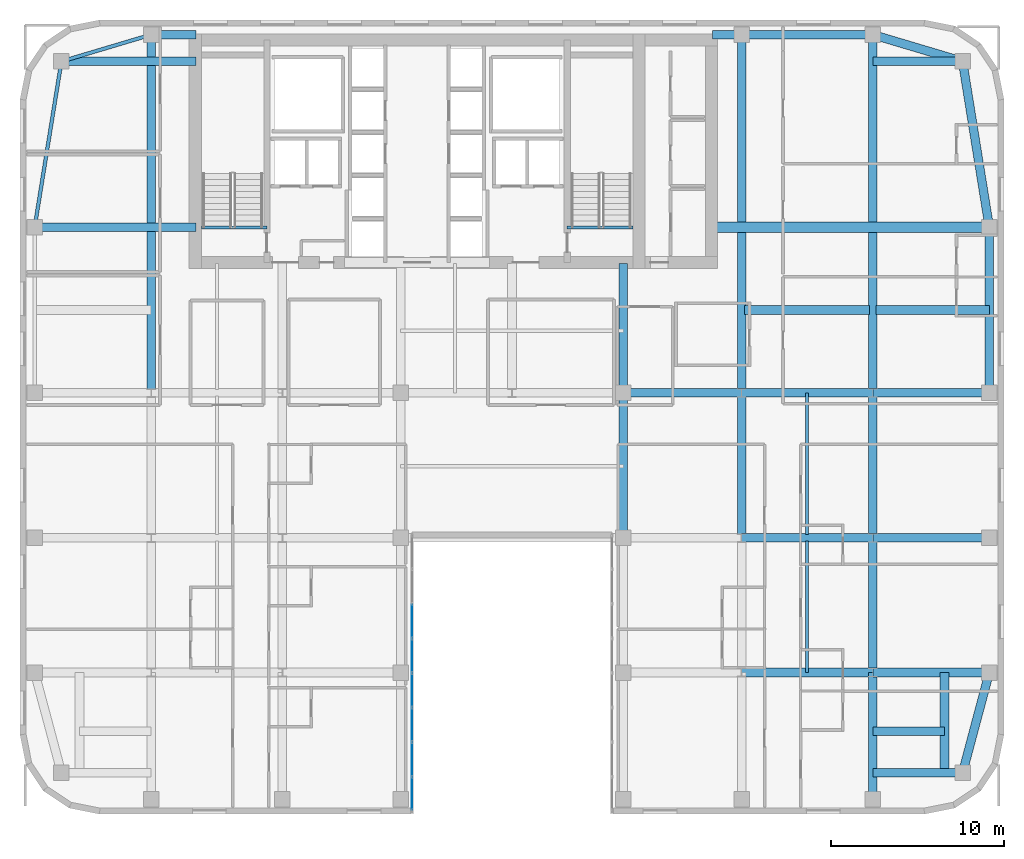
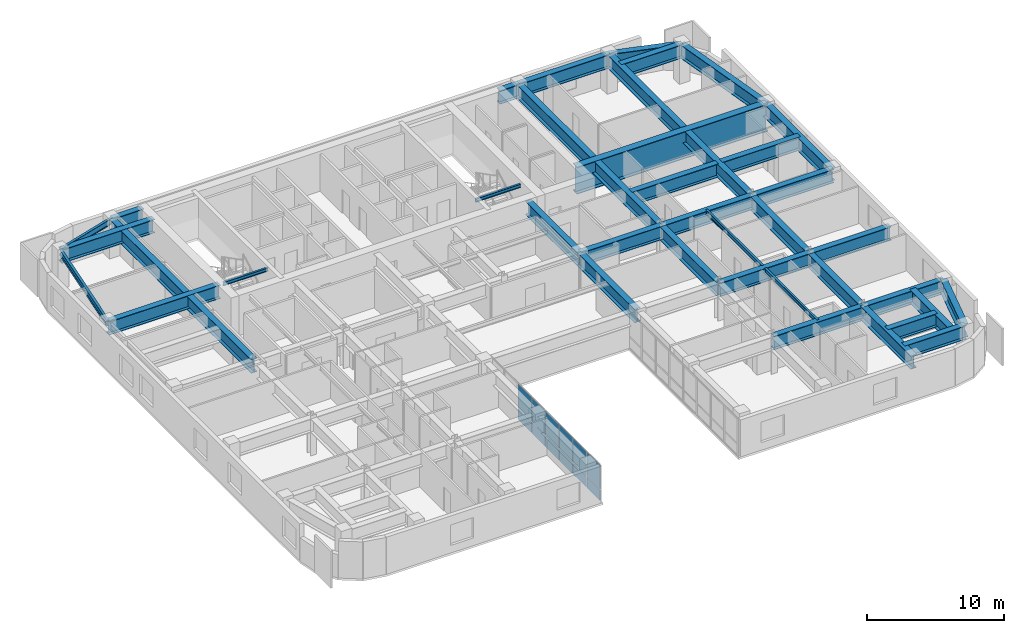
# One storey, part 7 of 15: 38 beams, 12 plates, 1 element without a shape of its own.
"""IFC4 building model written with IfcOpenShell, lengths in metres."""

from ifc_helpers import new_model, si_unit, direction, frame, origin, origin_2d, place, context, subcontext, project, spatial, rectangle, i_section, extrude, source, transform, mapped, material, layer, layer_set, material_profile, profile_set, type_object, type_shapes, element, aggregate, save


model = new_model("IFC4")

# Units and contexts
model_context = context("Model", 3, precision=1e-05, world=origin(), true_north=direction((0.0, 1.0)))
body_context = subcontext(model_context, "Body", "Model", "MODEL_VIEW")
ifc_project = project(units=[si_unit("LENGTHUNIT", "METRE"), si_unit("AREAUNIT", "SQUARE_METRE"), si_unit("VOLUMEUNIT", "CUBIC_METRE"), si_unit("PLANEANGLEUNIT", "RADIAN"), si_unit("MASSUNIT", "GRAM", prefix="KILO")], contexts=[model_context])

# Site, building, storey
site_placement = place(None, origin())
site = spatial("IfcSite", under=ifc_project, at=site_placement, CompositionType="ELEMENT")
building_placement = place(site_placement, origin())
building = spatial("IfcBuilding", under=site, at=building_placement, Name="Tolvann Quenvar Hotel", CompositionType="ELEMENT")
storey_placement = place(building_placement, frame((0.0, 0.0, 143.5)))
storey = spatial("IfcBuildingStorey", under=building, at=storey_placement, Name="L37", CompositionType="ELEMENT", Elevation=143.5)

# Beams
ifc_material_1 = material(Name="Steel Grade 350", Category="steel")
ifc_material_profile_1 = material_profile(ifc_material_1, i_section(OverallWidth=0.5, OverallDepth=1.199951171875, WebThickness=0.01611328125, FlangeThickness=0.0400390625, at=origin_2d()), Name="1200WB455")
ifc_profile_set_1 = profile_set([ifc_material_profile_1], Name="Steel Grade 350")
beam_type_1 = type_object("IfcBeamType", Name="BM_TG_1200WB455", PredefinedType="USERDEFINED", material=ifc_profile_set_1)
shared_shape_1 = source(origin(), body_context, "Body", "SweptSolid", [
    extrude(i_section(OverallWidth=0.5, OverallDepth=1.199951171875, WebThickness=0.01611328125, FlangeThickness=0.0400390625, at=origin_2d()), origin(), (0.0, 0.0, 1.0), 7.349853515625),
])
beam_1_placement = place(storey_placement, frame((49.39990234375, 0.85009765625, 2.68994140625), z_axis=(0.0, 1.0, 0.0), x_axis=(-1.0, 0.0, 0.0)))
element("IfcBeam", 1, at=beam_1_placement, inside=storey, type_object=beam_type_1, Name="TG-L37-NS-I23", ObjectType="TRANSFER GIRDER", PredefinedType="USERDEFINED", context=body_context, shape_type="MappedRepresentation", body=[
    mapped(shared_shape_1, transform((0.0, 0.0, 0.0), x_axis=(1.0, 0.0, 0.0), y_axis=(0.0, 1.0, 0.0), z_axis=(0.0, 0.0, 1.0), scale=1.0)),
])
shared_shape_2 = source(origin(), body_context, "Body", "SweptSolid", [
    extrude(i_section(OverallWidth=0.5, OverallDepth=1.199951171875, WebThickness=0.01611328125, FlangeThickness=0.0400390625, at=origin_2d()), origin(), (0.0, 0.0, 1.0), 7.5),
])
beam_2_placement = place(storey_placement, frame((34.949951171875, 24.39990234375, 2.68994140625), z_axis=(0.0, 1.0, 0.0), x_axis=(-1.0, 0.0, 0.0)))
element("IfcBeam", 2, at=beam_2_placement, inside=storey, type_object=beam_type_1, Name="BM-L37-CORE-F5", ObjectType="TRANSFER GIRDER", PredefinedType="USERDEFINED", context=body_context, shape_type="MappedRepresentation", body=[
    mapped(shared_shape_2, transform((0.0, 0.0, 0.0), x_axis=(1.0, 0.0, 0.0), y_axis=(0.0, 1.0, 0.0), z_axis=(0.0, 0.0, 1.0), scale=1.0)),
])
shared_shape_3 = source(origin(), body_context, "Body", "SweptSolid", [
    extrude(i_section(OverallWidth=0.5, OverallDepth=1.199951171875, WebThickness=0.01611328125, FlangeThickness=0.0400390625, at=origin_2d()), origin(), (0.0, 0.0, 1.0), 6.75),
])
for number, where, z_axis, x_axis, name in (
    (3, (49.39990234375, 8.199951171875, 2.68994140625), (1.0, 0.0, 0.0), (0.0, 1.0, 0.0), "TG-L37-E82"),
    (4, (49.39990234375, 16.0, 2.68994140625), (1.0, 0.0, 0.0), (0.0, 1.0, 0.0), "TG-L37-E16"),
    (5, (49.39990234375, 24.39990234375, 2.68994140625), (1.0, 0.0, 0.0), (0.0, 1.0, 0.0), "TG-L37-E24"),
):
    element("IfcBeam", number, at=place(storey_placement, frame(where, z_axis=z_axis, x_axis=x_axis)), inside=storey, type_object=beam_type_1, Name=name, ObjectType="TRANSFER GIRDER", PredefinedType="USERDEFINED", context=body_context, shape_type="MappedRepresentation", body=[
        mapped(shared_shape_3, transform((0.0, 0.0, 0.0), x_axis=(1.0, 0.0, 0.0), y_axis=(0.0, 1.0, 0.0), z_axis=(0.0, 0.0, 1.0), scale=1.0)),
    ])
shared_shape_4 = source(origin(), body_context, "Body", "SweptSolid", [
    extrude(i_section(OverallWidth=0.5, OverallDepth=1.199951171875, WebThickness=0.01611328125, FlangeThickness=0.0400390625, at=origin_2d()), origin(), (0.0, 0.0, 1.0), 7.599853515625),
])
for number, where, z_axis, x_axis, name in (
    (6, (41.800048828125, 8.199951171875, 2.68994140625), (1.0, 0.0, 0.0), (0.0, 1.0, 0.0), "BM-L37-EW-3-H3-I3"),
    (7, (41.800048828125, 16.0, 2.68994140625), (1.0, 0.0, 0.0), (0.0, 1.0, 0.0), "BM-L37-EW-4-H4-I4"),
    (8, (41.800048828125, 24.39990234375, 2.68994140625), (1.0, 0.0, 0.0), (0.0, 1.0, 0.0), "BM-L37-EW-5-H5-I5"),
    (9, (49.39990234375, 45.14990234375, 2.68994140625), (-1.0, 0.0, 0.0), (0.0, -1.0, 0.0), "BM-L37-FLK-E4"),
):
    element("IfcBeam", number, at=place(storey_placement, frame(where, z_axis=z_axis, x_axis=x_axis)), inside=storey, type_object=beam_type_1, Name=name, ObjectType="TRANSFER GIRDER", PredefinedType="USERDEFINED", context=body_context, shape_type="MappedRepresentation", body=[
        mapped(shared_shape_4, transform((0.0, 0.0, 0.0), x_axis=(1.0, 0.0, 0.0), y_axis=(0.0, 1.0, 0.0), z_axis=(0.0, 0.0, 1.0), scale=1.0)),
    ])
shared_shape_5 = source(origin(), body_context, "Body", "SweptSolid", [
    extrude(i_section(OverallWidth=0.5, OverallDepth=1.199951171875, WebThickness=0.01611328125, FlangeThickness=0.0400390625, at=origin_2d()), origin(), (0.0, 0.0, 1.0), 5.800048828125),
])
beam_3_placement = place(storey_placement, frame((53.550048828125, 2.39990234375, 2.68994140625), z_axis=(0.0, 1.0, 0.0), x_axis=(-1.0, 0.0, 0.0)))
element("IfcBeam", 10, at=beam_3_placement, inside=storey, type_object=beam_type_1, Name="TG-L37-S535", ObjectType="TRANSFER GIRDER", PredefinedType="USERDEFINED", context=body_context, shape_type="MappedRepresentation", body=[
    mapped(shared_shape_5, transform((0.0, 0.0, 0.0), x_axis=(1.0, 0.0, 0.0), y_axis=(0.0, 1.0, 0.0), z_axis=(0.0, 0.0, 1.0), scale=1.0)),
])
shared_shape_6 = source(origin(), body_context, "Body", "SweptSolid", [
    extrude(i_section(OverallWidth=0.5, OverallDepth=1.199951171875, WebThickness=0.01611328125, FlangeThickness=0.0400390625, at=origin_2d()), origin(), (0.0, 0.0, 1.0), 9.60009765625),
])
beam_4_placement = place(storey_placement, frame((56.14990234375, 24.39990234375, 2.68994140625), z_axis=(0.0, 1.0, 0.0), x_axis=(-1.0, 0.0, 0.0)))
element("IfcBeam", 11, at=beam_4_placement, inside=storey, type_object=beam_type_1, Name="BM-L37-FLK-E1", ObjectType="TRANSFER GIRDER", PredefinedType="USERDEFINED", context=body_context, shape_type="MappedRepresentation", body=[
    mapped(shared_shape_6, transform((0.0, 0.0, 0.0), x_axis=(1.0, 0.0, 0.0), y_axis=(0.0, 1.0, 0.0), z_axis=(0.0, 0.0, 1.0), scale=1.0)),
])
shared_shape_7 = source(origin(), body_context, "Body", "SweptSolid", [
    extrude(i_section(OverallWidth=0.5, OverallDepth=1.199951171875, WebThickness=0.01611328125, FlangeThickness=0.0400390625, at=origin_2d()), origin(), (0.0, 0.0, 1.0), 5.2001953125),
])
for number, where, z_axis, x_axis, name in (
    (12, (49.39990234375, 2.39990234375, 2.68994140625), (1.0, 0.0, 0.0), (0.0, 1.0, 0.0), "TG-L37-S240E"),
    (13, (49.39990234375, 43.60009765625, 2.68994140625), (1.0, 0.0, 0.0), (0.0, 1.0, 0.0), "TG-L37-JN"),
):
    element("IfcBeam", number, at=place(storey_placement, frame(where, z_axis=z_axis, x_axis=x_axis)), inside=storey, type_object=beam_type_1, Name=name, ObjectType="TRANSFER GIRDER", PredefinedType="USERDEFINED", context=body_context, shape_type="MappedRepresentation", body=[
        mapped(shared_shape_7, transform((0.0, 0.0, 0.0), x_axis=(1.0, 0.0, 0.0), y_axis=(0.0, 1.0, 0.0), z_axis=(0.0, 0.0, 1.0), scale=1.0)),
    ])
ifc_material_profile_2 = material_profile(ifc_material_1, i_section(OverallWidth=0.208984375, OverallDepth=0.528076171875, WebThickness=0.009521484375, FlangeThickness=0.01318359375, FilletRadius=0.013916015625, at=origin_2d()), Name="530UB82")
ifc_profile_set_2 = profile_set([ifc_material_profile_2], Name="Steel Grade 350")
beam_type_2 = type_object("IfcBeamType", Name="BM_SPAND_530UB82", PredefinedType="SPANDREL", material=ifc_profile_set_2)
shared_shape_8 = source(origin(), body_context, "Body", "SweptSolid", [
    extrude(i_section(OverallWidth=0.208984375, OverallDepth=0.528076171875, WebThickness=0.009521484375, FlangeThickness=0.01318359375, FilletRadius=0.013916015625, at=origin_2d()), origin(), (0.0, 0.0, 1.0), 5.42626953125),
])
beam_5_placement = place(storey_placement, frame((2.39990234375, 43.60009765625, 3.02587890625), z_axis=(0.958344815522, 0.285613750654, 0.0), x_axis=(-0.285613750654, 0.958344815522, 0.0)))
element("IfcBeam", 14, at=beam_5_placement, inside=storey, type_object=beam_type_2, Name="BM-L37-FLK-W3", PredefinedType="SPANDREL", context=body_context, shape_type="MappedRepresentation", body=[
    mapped(shared_shape_8, transform((0.0, 0.0, 0.0), x_axis=(1.0, 0.0, 0.0), y_axis=(0.0, 1.0, 0.0), z_axis=(0.0, 0.0, 1.0), scale=1.0)),
])
shared_shape_9 = source(origin(), body_context, "Body", "SweptSolid", [
    extrude(i_section(OverallWidth=0.208984375, OverallDepth=0.528076171875, WebThickness=0.009521484375, FlangeThickness=0.01318359375, FilletRadius=0.013916015625, at=origin_2d()), origin(), (0.0, 0.0, 1.0), 9.724365234375),
])
type_shapes(beam_type_2, [shared_shape_8, shared_shape_9])
beam_6_placement = place(storey_placement, frame((0.85009765625, 34.0, 3.02587890625), z_axis=(0.159372939192, 0.987218449105, 0.0), x_axis=(-0.987218449105, 0.159372939192, 0.0)))
element("IfcBeam", 15, at=beam_6_placement, inside=storey, type_object=beam_type_2, Name="BM-L37-FLK-W2", PredefinedType="SPANDREL", context=body_context, shape_type="MappedRepresentation", body=[
    mapped(shared_shape_9, transform((0.0, 0.0, 0.0), x_axis=(1.0, 0.0, 0.0), y_axis=(0.0, 1.0, 0.0), z_axis=(0.0, 0.0, 1.0), scale=1.0)),
])
shared_shape_10 = source(origin(), body_context, "Body", "SweptSolid", [
    extrude(i_section(OverallWidth=0.5, OverallDepth=1.199951171875, WebThickness=0.01611328125, FlangeThickness=0.0400390625, at=origin_2d()), origin(), (0.0, 0.0, 1.0), 20.75),
])
for number, where, z_axis, x_axis, name in (
    (16, (41.800048828125, 24.39990234375, 2.68994140625), (0.0, 1.0, 0.0), (-1.0, 0.0, 0.0), "TG-L37-EH34"),
    (17, (49.39990234375, 24.39990234375, 2.68994140625), (0.0, 1.0, 0.0), (-1.0, 0.0, 0.0), "TG-L37-EI34"),
    (18, (7.60009765625, 24.39990234375, 2.68994140625), (0.0, 1.0, 0.0), (-1.0, 0.0, 0.0), "BM-L37-FLK-WC"),
):
    element("IfcBeam", number, at=place(storey_placement, frame(where, z_axis=z_axis, x_axis=x_axis)), inside=storey, type_object=beam_type_1, Name=name, ObjectType="TRANSFER GIRDER", PredefinedType="USERDEFINED", context=body_context, shape_type="MappedRepresentation", body=[
        mapped(shared_shape_10, transform((0.0, 0.0, 0.0), x_axis=(1.0, 0.0, 0.0), y_axis=(0.0, 1.0, 0.0), z_axis=(0.0, 0.0, 1.0), scale=1.0)),
    ])
shared_shape_11 = source(origin(), body_context, "Body", "SweptSolid", [
    extrude(i_section(OverallWidth=0.5, OverallDepth=1.199951171875, WebThickness=0.01611328125, FlangeThickness=0.0400390625, at=origin_2d()), origin(), (0.0, 0.0, 1.0), 6.56982421875),
])
beam_7_placement = place(storey_placement, frame((49.580078125, 29.199951171875, 2.68994140625), z_axis=(1.0, 0.0, 0.0), x_axis=(0.0, 1.0, 0.0)))
element("IfcBeam", 19, at=beam_7_placement, inside=storey, type_object=beam_type_1, Name="BM-L37-EW-IJ29", ObjectType="TRANSFER GIRDER", PredefinedType="USERDEFINED", context=body_context, shape_type="MappedRepresentation", body=[
    mapped(shared_shape_11, transform((0.0, 0.0, 0.0), x_axis=(1.0, 0.0, 0.0), y_axis=(0.0, 1.0, 0.0), z_axis=(0.0, 0.0, 1.0), scale=1.0)),
])
shared_shape_12 = source(origin(), body_context, "Body", "SweptSolid", [
    extrude(i_section(OverallWidth=0.5, OverallDepth=1.199951171875, WebThickness=0.01611328125, FlangeThickness=0.0400390625, at=origin_2d()), origin(), (0.0, 0.0, 1.0), 2.599853515625),
])
beam_8_placement = place(storey_placement, frame((7.60009765625, 45.14990234375, 2.68994140625), z_axis=(1.0, 0.0, 0.0), x_axis=(0.0, 1.0, 0.0)))
element("IfcBeam", 20, at=beam_8_placement, inside=storey, type_object=beam_type_1, Name="BM-L37-CTW-CN", ObjectType="TRANSFER GIRDER", PredefinedType="USERDEFINED", context=body_context, shape_type="MappedRepresentation", body=[
    mapped(shared_shape_12, transform((0.0, 0.0, 0.0), x_axis=(1.0, 0.0, 0.0), y_axis=(0.0, 1.0, 0.0), z_axis=(0.0, 0.0, 1.0), scale=1.0)),
])
shared_shape_13 = source(origin(), body_context, "Body", "SweptSolid", [
    extrude(i_section(OverallWidth=0.5, OverallDepth=1.199951171875, WebThickness=0.01611328125, FlangeThickness=0.0400390625, at=origin_2d()), origin(), (0.0, 0.0, 1.0), 9.724365234375),
])
beam_9_placement = place(storey_placement, frame((56.14990234375, 34.0, 2.68994140625), z_axis=(-0.159372939192, 0.987218449105, 0.0), x_axis=(-0.987218449105, -0.159372939192, 0.0)))
element("IfcBeam", 21, at=beam_9_placement, inside=storey, type_object=beam_type_1, Name="BM-L37-FLK-E2", ObjectType="TRANSFER GIRDER", PredefinedType="USERDEFINED", context=body_context, shape_type="MappedRepresentation", body=[
    mapped(shared_shape_13, transform((0.0, 0.0, 0.0), x_axis=(1.0, 0.0, 0.0), y_axis=(0.0, 1.0, 0.0), z_axis=(0.0, 0.0, 1.0), scale=1.0)),
])
shared_shape_14 = source(origin(), body_context, "Body", "SweptSolid", [
    extrude(i_section(OverallWidth=0.5, OverallDepth=1.199951171875, WebThickness=0.01611328125, FlangeThickness=0.0400390625, at=origin_2d()), origin(), (0.0, 0.0, 1.0), 5.42626953125),
])
beam_10_placement = place(storey_placement, frame((54.60009765625, 43.60009765625, 2.68994140625), z_axis=(-0.958344815522, 0.285613750654, 0.0), x_axis=(-0.285613750654, -0.958344815522, 0.0)))
element("IfcBeam", 22, at=beam_10_placement, inside=storey, type_object=beam_type_1, Name="BM-L37-FLK-E3", ObjectType="TRANSFER GIRDER", PredefinedType="USERDEFINED", context=body_context, shape_type="MappedRepresentation", body=[
    mapped(shared_shape_14, transform((0.0, 0.0, 0.0), x_axis=(1.0, 0.0, 0.0), y_axis=(0.0, 1.0, 0.0), z_axis=(0.0, 0.0, 1.0), scale=1.0)),
])
shared_shape_15 = source(origin(), body_context, "Body", "SweptSolid", [
    extrude(i_section(OverallWidth=0.5, OverallDepth=1.199951171875, WebThickness=0.01611328125, FlangeThickness=0.0400390625, at=origin_2d()), origin(), (0.0, 0.0, 1.0), 1.699951171875),
])
beam_11_placement = place(storey_placement, frame((40.10009765625, 45.14990234375, 2.68994140625), z_axis=(1.0, 0.0, 0.0), x_axis=(0.0, 1.0, 0.0)))
element("IfcBeam", 23, at=beam_11_placement, inside=storey, type_object=beam_type_1, Name="BM-L37-CTE-HN", ObjectType="TRANSFER GIRDER", PredefinedType="USERDEFINED", context=body_context, shape_type="MappedRepresentation", body=[
    mapped(shared_shape_15, transform((0.0, 0.0, 0.0), x_axis=(1.0, 0.0, 0.0), y_axis=(0.0, 1.0, 0.0), z_axis=(0.0, 0.0, 1.0), scale=1.0)),
])
shared_shape_16 = source(origin(), body_context, "Body", "SweptSolid", [
    extrude(i_section(OverallWidth=0.5, OverallDepth=1.199951171875, WebThickness=0.01611328125, FlangeThickness=0.0400390625, at=origin_2d()), origin(), (0.0, 0.0, 1.0), 7.239990234375),
])
beam_12_placement = place(storey_placement, frame((41.97998046875, 29.199951171875, 2.68994140625), z_axis=(1.0, 0.0, 0.0), x_axis=(0.0, 1.0, 0.0)))
element("IfcBeam", 24, at=beam_12_placement, inside=storey, type_object=beam_type_1, Name="BM-L37-EW-HI29", ObjectType="TRANSFER GIRDER", PredefinedType="USERDEFINED", context=body_context, shape_type="MappedRepresentation", body=[
    mapped(shared_shape_16, transform((0.0, 0.0, 0.0), x_axis=(1.0, 0.0, 0.0), y_axis=(0.0, 1.0, 0.0), z_axis=(0.0, 0.0, 1.0), scale=1.0)),
])
ifc_material_profile_3 = material_profile(ifc_material_1, i_section(OverallWidth=0.166015625, OverallDepth=0.306884765625, WebThickness=0.006591796875, FlangeThickness=0.01171875, FilletRadius=0.011474609375, at=origin_2d()), Name="310UB46")
ifc_profile_set_3 = profile_set([ifc_material_profile_3], Name="Steel Grade 350")
beam_type_3 = type_object("IfcBeamType", Name="BM_JOIST_310UB46", PredefinedType="JOIST", material=ifc_profile_set_3)
shared_shape_17 = source(origin(), body_context, "Body", "SweptSolid", [
    extrude(i_section(OverallWidth=0.166015625, OverallDepth=0.306884765625, WebThickness=0.006591796875, FlangeThickness=0.01171875, FilletRadius=0.011474609375, at=origin_2d()), origin(), (0.0, 0.0, 1.0), 3.800048828125),
])
type_shapes(beam_type_3, [shared_shape_17])
for number, where, z_axis, x_axis, name in (
    (25, (10.5, 33.97998046875, 3.136474609375), (1.0, 0.0, 0.0), (0.0, 1.0, 0.0), "BM-HDR-STC1-L38"),
    (26, (31.699951171875, 33.97998046875, 3.136474609375), (1.0, 0.0, 0.0), (0.0, 1.0, 0.0), "BM-HDR-STC2-L38"),
):
    element("IfcBeam", number, at=place(storey_placement, frame(where, z_axis=z_axis, x_axis=x_axis)), inside=storey, type_object=beam_type_3, Name=name, PredefinedType="JOIST", context=body_context, shape_type="MappedRepresentation", body=[
        mapped(shared_shape_17, transform((0.0, 0.0, 0.0), x_axis=(1.0, 0.0, 0.0), y_axis=(0.0, 1.0, 0.0), z_axis=(0.0, 0.0, 1.0), scale=1.0)),
    ])
shared_shape_18 = source(origin(), body_context, "Body", "SweptSolid", [
    extrude(i_section(OverallWidth=0.5, OverallDepth=1.199951171875, WebThickness=0.01611328125, FlangeThickness=0.0400390625, at=origin_2d()), origin(), (0.0, 0.0, 1.0), 9.349853515625),
])
beam_13_placement = place(storey_placement, frame((0.85009765625, 34.0, 2.68994140625), z_axis=(1.0, 0.0, 0.0), x_axis=(0.0, 1.0, 0.0)))
element("IfcBeam", 27, at=beam_13_placement, inside=storey, type_object=beam_type_1, Name="TG-L37-W34", ObjectType="TRANSFER GIRDER", PredefinedType="USERDEFINED", context=body_context, shape_type="MappedRepresentation", body=[
    mapped(shared_shape_18, transform((0.0, 0.0, 0.0), x_axis=(1.0, 0.0, 0.0), y_axis=(0.0, 1.0, 0.0), z_axis=(0.0, 0.0, 1.0), scale=1.0)),
])
shared_shape_19 = source(origin(), body_context, "Body", "SweptSolid", [
    extrude(i_section(OverallWidth=0.5, OverallDepth=1.199951171875, WebThickness=0.01611328125, FlangeThickness=0.0400390625, at=origin_2d()), origin(), (0.0, 0.0, 1.0), 6.00341796875),
])
beam_14_placement = place(storey_placement, frame((54.60009765625, 2.39990234375, 2.68994140625), z_axis=(0.258148586649, 0.966105225745, 0.0), x_axis=(-0.966105225745, 0.258148586649, 0.0)))
element("IfcBeam", 28, at=beam_14_placement, inside=storey, type_object=beam_type_1, Name="TG-L37-NS-J23", ObjectType="TRANSFER GIRDER", PredefinedType="USERDEFINED", context=body_context, shape_type="MappedRepresentation", body=[
    mapped(shared_shape_19, transform((0.0, 0.0, 0.0), x_axis=(1.0, 0.0, 0.0), y_axis=(0.0, 1.0, 0.0), z_axis=(0.0, 0.0, 1.0), scale=1.0)),
])
shared_shape_20 = source(origin(), body_context, "Body", "SweptSolid", [
    extrude(i_section(OverallWidth=0.5, OverallDepth=1.199951171875, WebThickness=0.01611328125, FlangeThickness=0.0400390625, at=origin_2d()), origin(), (0.0, 0.0, 1.0), 4.150146484375),
])
beam_15_placement = place(storey_placement, frame((49.39990234375, 4.800048828125, 2.68994140625), z_axis=(1.0, 0.0, 0.0), x_axis=(0.0, 1.0, 0.0)))
element("IfcBeam", 29, at=beam_15_placement, inside=storey, type_object=beam_type_1, Name="TG-L37-J2", ObjectType="TRANSFER GIRDER", PredefinedType="USERDEFINED", context=body_context, shape_type="MappedRepresentation", body=[
    mapped(shared_shape_20, transform((0.0, 0.0, 0.0), x_axis=(1.0, 0.0, 0.0), y_axis=(0.0, 1.0, 0.0), z_axis=(0.0, 0.0, 1.0), scale=1.0)),
])
shared_shape_21 = source(origin(), body_context, "Body", "SweptSolid", [
    extrude(i_section(OverallWidth=0.5, OverallDepth=1.199951171875, WebThickness=0.01611328125, FlangeThickness=0.0400390625, at=origin_2d()), origin(), (0.0, 0.0, 1.0), 7.800048828125),
])
for number, where, z_axis, x_axis, name in (
    (30, (2.39990234375, 43.60009765625, 2.68994140625), (1.0, 0.0, 0.0), (0.0, 1.0, 0.0), "TG-L37-BN"),
    (31, (49.39990234375, 8.199951171875, 2.68994140625), (0.0, 1.0, 0.0), (-1.0, 0.0, 0.0), "BM-L37-NS-I3-I4"),
):
    element("IfcBeam", number, at=place(storey_placement, frame(where, z_axis=z_axis, x_axis=x_axis)), inside=storey, type_object=beam_type_1, Name=name, ObjectType="TRANSFER GIRDER", PredefinedType="USERDEFINED", context=body_context, shape_type="MappedRepresentation", body=[
        mapped(shared_shape_21, transform((0.0, 0.0, 0.0), x_axis=(1.0, 0.0, 0.0), y_axis=(0.0, 1.0, 0.0), z_axis=(0.0, 0.0, 1.0), scale=1.0)),
    ])
ifc_material_profile_4 = material_profile(ifc_material_1, i_section(OverallWidth=0.60009765625, OverallDepth=2.39990234375, WebThickness=0.02001953125, FlangeThickness=0.044921875, at=origin_2d()), Name="2400WB655")
ifc_profile_set_4 = profile_set([ifc_material_profile_4], Name="Steel Grade 350")
beam_type_4 = type_object("IfcBeamType", Name="BM_TG_2400WB655", PredefinedType="USERDEFINED", material=ifc_profile_set_4)
shared_shape_22 = source(origin(), body_context, "Body", "SweptSolid", [
    extrude(i_section(OverallWidth=0.60009765625, OverallDepth=2.39990234375, WebThickness=0.02001953125, FlangeThickness=0.044921875, at=origin_2d()), origin(), (0.0, 0.0, 1.0), 16.0498046875),
])
type_shapes(beam_type_4, [shared_shape_22])
beam_16_placement = place(storey_placement, frame((40.10009765625, 34.0, 2.090087890625), z_axis=(1.0, 0.0, 0.0), x_axis=(0.0, 1.0, 0.0)))
element("IfcBeam", 32, at=beam_16_placement, inside=storey, type_object=beam_type_4, Name="TG-L37-E34", ObjectType="TRANSFER GIRDER", PredefinedType="USERDEFINED", context=body_context, shape_type="MappedRepresentation", body=[
    mapped(shared_shape_22, transform((0.0, 0.0, 0.0), x_axis=(1.0, 0.0, 0.0), y_axis=(0.0, 1.0, 0.0), z_axis=(0.0, 0.0, 1.0), scale=1.0)),
])
shared_shape_23 = source(origin(), body_context, "Body", "SweptSolid", [
    extrude(i_section(OverallWidth=0.5, OverallDepth=1.199951171875, WebThickness=0.01611328125, FlangeThickness=0.0400390625, at=origin_2d()), origin(), (0.0, 0.0, 1.0), 6.85009765625),
])
beam_17_placement = place(storey_placement, frame((34.949951171875, 24.39990234375, 2.68994140625), z_axis=(1.0, 0.0, 0.0), x_axis=(0.0, 1.0, 0.0)))
element("IfcBeam", 33, at=beam_17_placement, inside=storey, type_object=beam_type_1, Name="BM-L37-EW-5-F5-H5", ObjectType="TRANSFER GIRDER", PredefinedType="USERDEFINED", context=body_context, shape_type="MappedRepresentation", body=[
    mapped(shared_shape_23, transform((0.0, 0.0, 0.0), x_axis=(1.0, 0.0, 0.0), y_axis=(0.0, 1.0, 0.0), z_axis=(0.0, 0.0, 1.0), scale=1.0)),
])
shared_shape_24 = source(origin(), body_context, "Body", "SweptSolid", [
    extrude(i_section(OverallWidth=0.5, OverallDepth=1.199951171875, WebThickness=0.01611328125, FlangeThickness=0.0400390625, at=origin_2d()), origin(), (0.0, 0.0, 1.0), 8.39990234375),
])
type_shapes(beam_type_1, [shared_shape_1, shared_shape_2, shared_shape_3, shared_shape_4, shared_shape_5, shared_shape_6, shared_shape_7, shared_shape_10, shared_shape_11, shared_shape_12, shared_shape_13, shared_shape_14, shared_shape_15, shared_shape_16, shared_shape_18, shared_shape_19, shared_shape_20, shared_shape_21, shared_shape_23, shared_shape_24])
for number, where, z_axis, x_axis, name in (
    (34, (34.949951171875, 16.0, 2.68994140625), (0.0, 1.0, 0.0), (-1.0, 0.0, 0.0), "BM-L37-NS-F4-F5"),
    (35, (41.800048828125, 16.0, 2.68994140625), (0.0, 1.0, 0.0), (-1.0, 0.0, 0.0), "BM-L37-NS-H4-H5"),
    (36, (49.39990234375, 16.0, 2.68994140625), (0.0, 1.0, 0.0), (-1.0, 0.0, 0.0), "BM-L37-NS-I4-I5"),
):
    element("IfcBeam", number, at=place(storey_placement, frame(where, z_axis=z_axis, x_axis=x_axis)), inside=storey, type_object=beam_type_1, Name=name, ObjectType="TRANSFER GIRDER", PredefinedType="USERDEFINED", context=body_context, shape_type="MappedRepresentation", body=[
        mapped(shared_shape_24, transform((0.0, 0.0, 0.0), x_axis=(1.0, 0.0, 0.0), y_axis=(0.0, 1.0, 0.0), z_axis=(0.0, 0.0, 1.0), scale=1.0)),
    ])
ifc_material_profile_5 = material_profile(ifc_material_1, i_section(OverallWidth=0.177978515625, OverallDepth=0.406005859375, WebThickness=0.0078125, FlangeThickness=0.0126953125, FilletRadius=0.011474609375, at=origin_2d()), Name="410UB60")
ifc_profile_set_5 = profile_set([ifc_material_profile_5], Name="Steel Grade 350")
beam_type_5 = type_object("IfcBeamType", Name="BM_JOIST_410UB60", PredefinedType="JOIST", material=ifc_profile_set_5)
shared_shape_25 = source(origin(), body_context, "Body", "SweptSolid", [
    extrude(i_section(OverallWidth=0.177978515625, OverallDepth=0.406005859375, WebThickness=0.0078125, FlangeThickness=0.0126953125, FilletRadius=0.011474609375, at=origin_2d()), origin(), (0.0, 0.0, 1.0), 7.614990234375),
])
beam_18_placement = place(storey_placement, frame((45.60009765625, 8.199951171875, 3.0869140625), z_axis=(0.0, 1.0, 0.0), x_axis=(-1.0, 0.0, 0.0)))
element("IfcBeam", 37, at=beam_18_placement, inside=storey, type_object=beam_type_5, Name="BJ-L37-456-82", PredefinedType="JOIST", context=body_context, shape_type="MappedRepresentation", body=[
    mapped(shared_shape_25, transform((0.0, 0.0, 0.0), x_axis=(1.0, 0.0, 0.0), y_axis=(0.0, 1.0, 0.0), z_axis=(0.0, 0.0, 1.0), scale=1.0)),
])
shared_shape_26 = source(origin(), body_context, "Body", "SweptSolid", [
    extrude(i_section(OverallWidth=0.177978515625, OverallDepth=0.406005859375, WebThickness=0.0078125, FlangeThickness=0.0126953125, FilletRadius=0.011474609375, at=origin_2d()), origin(), (0.0, 0.0, 1.0), 8.21484375),
])
type_shapes(beam_type_5, [shared_shape_25, shared_shape_26])
beam_19_placement = place(storey_placement, frame((45.60009765625, 16.18505859375, 3.0869140625), z_axis=(0.0, 1.0, 0.0), x_axis=(-1.0, 0.0, 0.0)))
element("IfcBeam", 38, at=beam_19_placement, inside=storey, type_object=beam_type_5, Name="BJ-L37-456-160", PredefinedType="JOIST", context=body_context, shape_type="MappedRepresentation", body=[
    mapped(shared_shape_26, transform((0.0, 0.0, 0.0), x_axis=(1.0, 0.0, 0.0), y_axis=(0.0, 1.0, 0.0), z_axis=(0.0, 0.0, 1.0), scale=1.0)),
])

# Curtain wall, plates
ifc_material_2 = material(Name="Thermally broken anodised architectural aluminium 6063-T6 and laminated low-E glass", Category="aluminium")
ifc_layer_1 = layer(ifc_material_2, 0.179931640625)
ifc_layer_set_1 = layer_set([ifc_layer_1], Name="Thermally broken anodised architectural aluminium 6063-T6 and laminated low-E glass")
curtain_wall_type = type_object("IfcCurtainWallType", Name="CW_SYS_SLOT_03", PredefinedType="USERDEFINED", material=ifc_layer_set_1)
curtain_wall_placement = place(storey_placement, origin())
curtain_wall = element("IfcCurtainWall", 39, at=curtain_wall_placement, inside=storey, type_object=curtain_wall_type, Name="Curtain Wall CW-SLOT-03 (CWR-L37-E05)", ObjectType="UNITISED CURTAIN WALL", PredefinedType="USERDEFINED")
ifc_material_3 = material(Name="Low-iron laminated double glazing with solar-control coating", Category="glass")
ifc_layer_2 = layer(ifc_material_3, 0.028076171875)
ifc_layer_set_2 = layer_set([ifc_layer_2], Name="Low-iron laminated double glazing with solar-control coating")
plate_type = type_object("IfcPlateType", Name="CW_PAN_VISION_28", PredefinedType="CURTAIN_PANEL", material=ifc_layer_set_2)
shared_shape_27 = source(origin(), body_context, "Body", "SweptSolid", [
    extrude(rectangle(XDim=1.89501953125, YDim=0.028076171875, at=origin_2d()), origin(), (0.0, 0.0, 1.0), 0.9599609375),
])
plate_1_placement = place(storey_placement, frame((22.7099609375, 1.1923828125, 0.06005859375), z_axis=(0.0, 0.0, 1.0), x_axis=(0.0, 1.0, 0.0)))
plate_1 = element("IfcPlate", 40, at=plate_1_placement, type_object=plate_type, Name="CW-SLOT-03 panel 1.1", PredefinedType="CURTAIN_PANEL", context=body_context, shape_type="MappedRepresentation", body=[
    mapped(shared_shape_27, transform((0.0, 0.0, 0.0), x_axis=(1.0, 0.0, 0.0), y_axis=(0.0, 1.0, 0.0), z_axis=(0.0, 0.0, 1.0), scale=1.0)),
])
shared_shape_28 = source(origin(), body_context, "Body", "SweptSolid", [
    extrude(rectangle(XDim=1.929931640625, YDim=0.028076171875, at=origin_2d()), origin(), (0.0, 0.0, 1.0), 0.9599609375),
])
plate_2_placement = place(storey_placement, frame((22.7099609375, 3.175048828125, 0.06005859375), z_axis=(0.0, 0.0, 1.0), x_axis=(0.0, 1.0, 0.0)))
plate_2 = element("IfcPlate", 41, at=plate_2_placement, type_object=plate_type, Name="CW-SLOT-03 panel 2.1", PredefinedType="CURTAIN_PANEL", context=body_context, shape_type="MappedRepresentation", body=[
    mapped(shared_shape_28, transform((0.0, 0.0, 0.0), x_axis=(1.0, 0.0, 0.0), y_axis=(0.0, 1.0, 0.0), z_axis=(0.0, 0.0, 1.0), scale=1.0)),
])
plate_3_placement = place(storey_placement, frame((22.7099609375, 5.175048828125, 0.06005859375), z_axis=(0.0, 0.0, 1.0), x_axis=(0.0, 1.0, 0.0)))
plate_3 = element("IfcPlate", 42, at=plate_3_placement, type_object=plate_type, Name="CW-SLOT-03 panel 3.1", PredefinedType="CURTAIN_PANEL", context=body_context, shape_type="MappedRepresentation", body=[
    mapped(shared_shape_28, transform((0.0, 0.0, 0.0), x_axis=(1.0, 0.0, 0.0), y_axis=(0.0, 1.0, 0.0), z_axis=(0.0, 0.0, 1.0), scale=1.0)),
])
plate_4_placement = place(storey_placement, frame((22.7099609375, 7.175048828125, 0.06005859375), z_axis=(0.0, 0.0, 1.0), x_axis=(0.0, 1.0, 0.0)))
plate_4 = element("IfcPlate", 43, at=plate_4_placement, type_object=plate_type, Name="CW-SLOT-03 panel 4.1", PredefinedType="CURTAIN_PANEL", context=body_context, shape_type="MappedRepresentation", body=[
    mapped(shared_shape_28, transform((0.0, 0.0, 0.0), x_axis=(1.0, 0.0, 0.0), y_axis=(0.0, 1.0, 0.0), z_axis=(0.0, 0.0, 1.0), scale=1.0)),
])
plate_5_placement = place(storey_placement, frame((22.7099609375, 9.175048828125, 0.06005859375), z_axis=(0.0, 0.0, 1.0), x_axis=(0.0, 1.0, 0.0)))
plate_5 = element("IfcPlate", 44, at=plate_5_placement, type_object=plate_type, Name="CW-SLOT-03 panel 5.1", PredefinedType="CURTAIN_PANEL", context=body_context, shape_type="MappedRepresentation", body=[
    mapped(shared_shape_28, transform((0.0, 0.0, 0.0), x_axis=(1.0, 0.0, 0.0), y_axis=(0.0, 1.0, 0.0), z_axis=(0.0, 0.0, 1.0), scale=1.0)),
])
plate_6_placement = place(storey_placement, frame((22.7099609375, 11.175048828125, 0.06005859375), z_axis=(0.0, 0.0, 1.0), x_axis=(0.0, 1.0, 0.0)))
plate_6 = element("IfcPlate", 45, at=plate_6_placement, type_object=plate_type, Name="CW-SLOT-03 panel 6.1", PredefinedType="CURTAIN_PANEL", context=body_context, shape_type="MappedRepresentation", body=[
    mapped(shared_shape_28, transform((0.0, 0.0, 0.0), x_axis=(1.0, 0.0, 0.0), y_axis=(0.0, 1.0, 0.0), z_axis=(0.0, 0.0, 1.0), scale=1.0)),
])
shared_shape_29 = source(origin(), body_context, "Body", "SweptSolid", [
    extrude(rectangle(XDim=1.89501953125, YDim=0.028076171875, at=origin_2d()), origin(), (0.0, 0.0, 1.0), 2.14990234375),
])
plate_7_placement = place(storey_placement, frame((22.7099609375, 1.1923828125, 1.080078125), z_axis=(0.0, 0.0, 1.0), x_axis=(0.0, 1.0, 0.0)))
plate_7 = element("IfcPlate", 46, at=plate_7_placement, type_object=plate_type, Name="CW-SLOT-03 panel 1.2", PredefinedType="CURTAIN_PANEL", context=body_context, shape_type="MappedRepresentation", body=[
    mapped(shared_shape_29, transform((0.0, 0.0, 0.0), x_axis=(1.0, 0.0, 0.0), y_axis=(0.0, 1.0, 0.0), z_axis=(0.0, 0.0, 1.0), scale=1.0)),
])
shared_shape_30 = source(origin(), body_context, "Body", "SweptSolid", [
    extrude(rectangle(XDim=1.929931640625, YDim=0.028076171875, at=origin_2d()), origin(), (0.0, 0.0, 1.0), 2.14990234375),
])
type_shapes(plate_type, [shared_shape_27, shared_shape_28, shared_shape_29, shared_shape_30])
plate_8_placement = place(storey_placement, frame((22.7099609375, 3.175048828125, 1.080078125), z_axis=(0.0, 0.0, 1.0), x_axis=(0.0, 1.0, 0.0)))
plate_8 = element("IfcPlate", 47, at=plate_8_placement, type_object=plate_type, Name="CW-SLOT-03 panel 2.2", PredefinedType="CURTAIN_PANEL", context=body_context, shape_type="MappedRepresentation", body=[
    mapped(shared_shape_30, transform((0.0, 0.0, 0.0), x_axis=(1.0, 0.0, 0.0), y_axis=(0.0, 1.0, 0.0), z_axis=(0.0, 0.0, 1.0), scale=1.0)),
])
plate_9_placement = place(storey_placement, frame((22.7099609375, 5.175048828125, 1.080078125), z_axis=(0.0, 0.0, 1.0), x_axis=(0.0, 1.0, 0.0)))
plate_9 = element("IfcPlate", 48, at=plate_9_placement, type_object=plate_type, Name="CW-SLOT-03 panel 3.2", PredefinedType="CURTAIN_PANEL", context=body_context, shape_type="MappedRepresentation", body=[
    mapped(shared_shape_30, transform((0.0, 0.0, 0.0), x_axis=(1.0, 0.0, 0.0), y_axis=(0.0, 1.0, 0.0), z_axis=(0.0, 0.0, 1.0), scale=1.0)),
])
plate_10_placement = place(storey_placement, frame((22.7099609375, 7.175048828125, 1.080078125), z_axis=(0.0, 0.0, 1.0), x_axis=(0.0, 1.0, 0.0)))
plate_10 = element("IfcPlate", 49, at=plate_10_placement, type_object=plate_type, Name="CW-SLOT-03 panel 4.2", PredefinedType="CURTAIN_PANEL", context=body_context, shape_type="MappedRepresentation", body=[
    mapped(shared_shape_30, transform((0.0, 0.0, 0.0), x_axis=(1.0, 0.0, 0.0), y_axis=(0.0, 1.0, 0.0), z_axis=(0.0, 0.0, 1.0), scale=1.0)),
])
plate_11_placement = place(storey_placement, frame((22.7099609375, 9.175048828125, 1.080078125), z_axis=(0.0, 0.0, 1.0), x_axis=(0.0, 1.0, 0.0)))
plate_11 = element("IfcPlate", 50, at=plate_11_placement, type_object=plate_type, Name="CW-SLOT-03 panel 5.2", PredefinedType="CURTAIN_PANEL", context=body_context, shape_type="MappedRepresentation", body=[
    mapped(shared_shape_30, transform((0.0, 0.0, 0.0), x_axis=(1.0, 0.0, 0.0), y_axis=(0.0, 1.0, 0.0), z_axis=(0.0, 0.0, 1.0), scale=1.0)),
])
plate_12_placement = place(storey_placement, frame((22.7099609375, 11.175048828125, 1.080078125), z_axis=(0.0, 0.0, 1.0), x_axis=(0.0, 1.0, 0.0)))
plate_12 = element("IfcPlate", 51, at=plate_12_placement, type_object=plate_type, Name="CW-SLOT-03 panel 6.2", PredefinedType="CURTAIN_PANEL", context=body_context, shape_type="MappedRepresentation", body=[
    mapped(shared_shape_30, transform((0.0, 0.0, 0.0), x_axis=(1.0, 0.0, 0.0), y_axis=(0.0, 1.0, 0.0), z_axis=(0.0, 0.0, 1.0), scale=1.0)),
])
aggregate(curtain_wall, [plate_1, plate_7, plate_2, plate_8, plate_3, plate_9, plate_4, plate_10, plate_5, plate_11, plate_6, plate_12])

save(model, "model.ifc")
